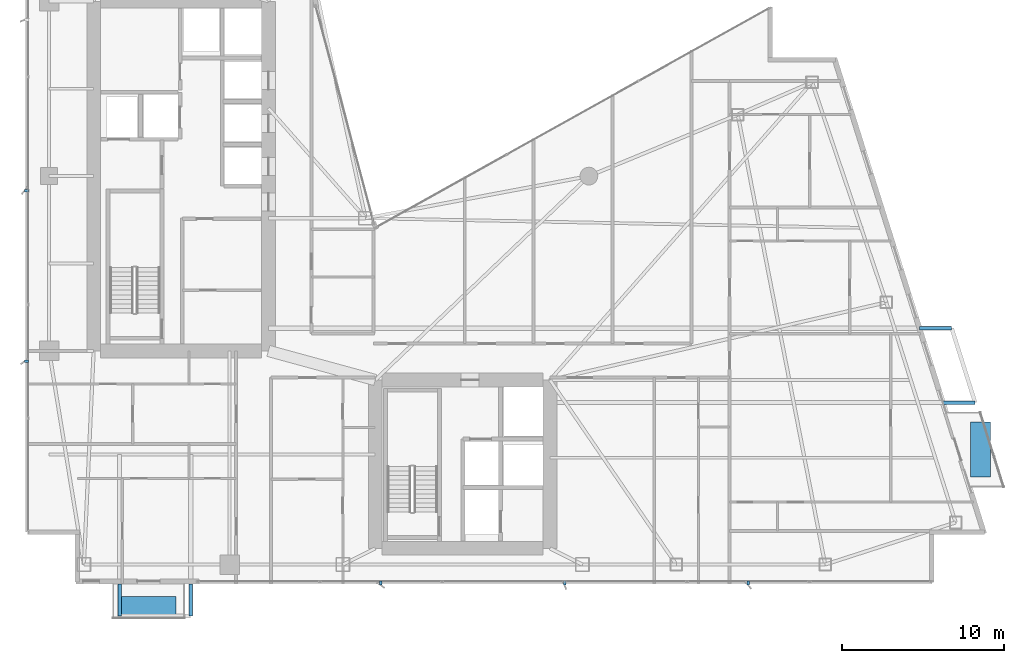
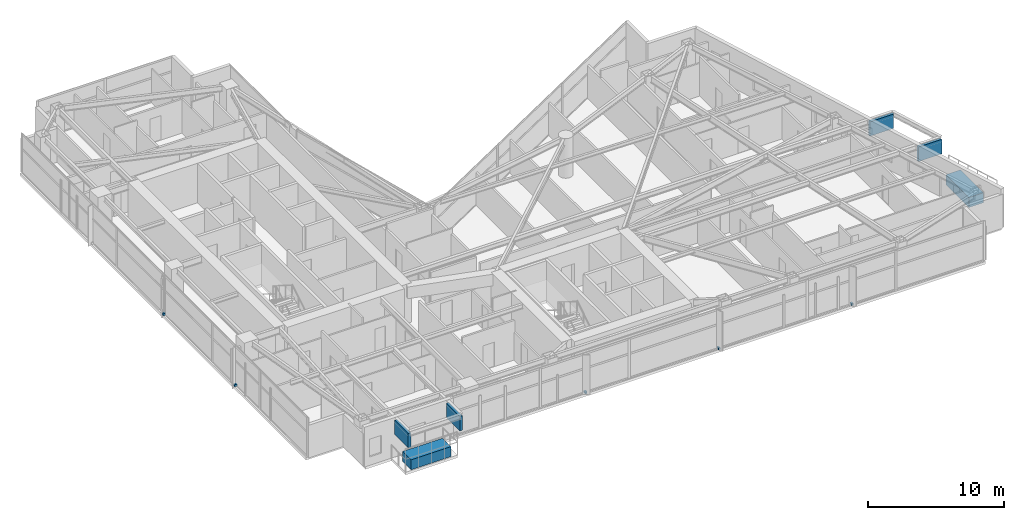
# One storey, part 26 of 29: 11 discrete accessories.
"""IFC4 building model written with IfcOpenShell, lengths in metres."""

from ifc_helpers import new_model, si_unit, direction, frame, origin, origin_2d, place, context, subcontext, project, spatial, rectangle, extrude, material, type_object, element, save


model = new_model("IFC4")

# Units and contexts
model_context = context("Model", 3, precision=1e-05, world=origin(), true_north=direction((0.0, 1.0)))
body_context = subcontext(model_context, "Body", "Model", "MODEL_VIEW")
ifc_project = project(units=[si_unit("LENGTHUNIT", "METRE"), si_unit("AREAUNIT", "SQUARE_METRE"), si_unit("VOLUMEUNIT", "CUBIC_METRE"), si_unit("PLANEANGLEUNIT", "RADIAN"), si_unit("MASSUNIT", "GRAM", prefix="KILO")], contexts=[model_context])

# Site, building, storey
site_placement = place(None, origin())
site = spatial("IfcSite", under=ifc_project, at=site_placement, CompositionType="ELEMENT")
building_placement = place(site_placement, origin())
building = spatial("IfcBuilding", under=site, at=building_placement, Name="Calvorn Quay Hotel", CompositionType="ELEMENT")
storey_placement = place(building_placement, frame((0.0, 0.0, 148.5)))
storey = spatial("IfcBuildingStorey", under=building, at=storey_placement, Name="L36", CompositionType="ELEMENT", Elevation=148.5)

# Discrete accessories
ifc_material_1 = material(Name="Steel Q355B", Category="steel")
discrete_accessory_type_1 = type_object("IfcDiscreteAccessoryType", Name="ACC-BALC-STRUT", PredefinedType="BRACKET", material=ifc_material_1)
for number, where, z_axis, x_axis, name in (
    (1, (57.674072265625, 13.60009765625, 2.01513671875), (0.0, 0.0, 1.0), (1.0, 0.0, 0.0), "Exterior Balcony Steel Bracket L37-BALC-E-A"),
    (2, (56.22509765625, 18.199951171875, 2.01513671875), (0.0, 0.0, 1.0), (1.0, 0.0, 0.0), "Exterior Balcony Steel Bracket L37-BALC-E-B"),
):
    element("IfcDiscreteAccessory", number, at=place(storey_placement, frame(where, z_axis=z_axis, x_axis=x_axis)), inside=storey, type_object=discrete_accessory_type_1, Name=name, PredefinedType="BRACKET", context=body_context, shape_type="SweptSolid", body=[
        extrude(rectangle(XDim=1.989990234375, YDim=0.219970703125, at=origin_2d()), origin(), (0.0, 0.0, 1.0), 1.300048828125),
    ])
for number, where, z_axis, x_axis, name in (
    (3, (5.800048828125, 1.405029296875, 2.01513671875), (0.0, 0.0, 1.0), (1.0, 0.0, 0.0), "Exterior Balcony Steel Bracket L37-BALC-S-A"),
    (4, (10.199951171875, 1.405029296875, 2.01513671875), (0.0, 0.0, 1.0), (1.0, 0.0, 0.0), "Exterior Balcony Steel Bracket L37-BALC-S-B"),
):
    element("IfcDiscreteAccessory", number, at=place(storey_placement, frame(where, z_axis=z_axis, x_axis=x_axis)), inside=storey, type_object=discrete_accessory_type_1, Name=name, PredefinedType="BRACKET", context=body_context, shape_type="SweptSolid", body=[
        extrude(rectangle(XDim=0.219970703125, YDim=1.989990234375, at=origin_2d()), origin(), (0.0, 0.0, 1.0), 1.300048828125),
    ])
ifc_material_2 = material(Name="Steel Q355B", Category="steel")
discrete_accessory_type_2 = type_object("IfcDiscreteAccessoryType", Name="ACC-FIN-BRACKET", PredefinedType="BRACKET", material=ifc_material_2)
for number, where, z_axis, x_axis, name in (
    (5, (0.06005859375, 16.14990234375, 0.0302734375), (0.0, 0.0, 1.0), (1.0, 0.0, 0.0), "Fin Anchor Bracket L36-W01"),
    (6, (0.06005859375, 26.699951171875, 0.0302734375), (0.0, 0.0, 1.0), (1.0, 0.0, 0.0), "Fin Anchor Bracket L36-W02"),
    (7, (21.949951171875, 2.4599609375, 0.0302734375), (0.0, 0.0, 1.0), (0.0, 1.0, 0.0), "Fin Anchor Bracket L36-S01"),
    (8, (33.300048828125, 2.4599609375, 0.0302734375), (0.0, 0.0, 1.0), (0.0, 1.0, 0.0), "Fin Anchor Bracket L36-S02"),
    (9, (44.64990234375, 2.4599609375, 0.0302734375), (0.0, 0.0, 1.0), (0.0, 1.0, 0.0), "Fin Anchor Bracket L36-S03"),
):
    element("IfcDiscreteAccessory", number, at=place(storey_placement, frame(where, z_axis=z_axis, x_axis=x_axis)), inside=storey, type_object=discrete_accessory_type_2, Name=name, PredefinedType="BRACKET", context=body_context, shape_type="SweptSolid", body=[
        extrude(rectangle(XDim=0.239990234375, YDim=0.159912109375, at=origin_2d()), origin(), (0.0, 0.0, 1.0), 0.179931640625),
    ])
ifc_material_3 = material(Name="Precast concrete C40", Category="concrete")
discrete_accessory_type_3 = type_object("IfcDiscreteAccessoryType", Name="ACC-TREE-PLANTER", PredefinedType="USERDEFINED", material=ifc_material_3)
discrete_accessory_1_placement = place(storey_placement, frame((59.0029296875, 10.699951171875, 0.0), z_axis=(0.0, 0.0, 1.0), x_axis=(1.0, 0.0, 0.0)))
element("IfcDiscreteAccessory", 10, at=discrete_accessory_1_placement, inside=storey, type_object=discrete_accessory_type_3, Name="Subtropical Tree Structural Planter L36-BALC-E", ObjectType="PLANTER", PredefinedType="USERDEFINED", context=body_context, shape_type="SweptSolid", body=[
    extrude(rectangle(XDim=1.25, YDim=3.39990234375, at=origin_2d()), origin(), (0.0, 0.0, 1.0), 0.89990234375),
])
discrete_accessory_2_placement = place(storey_placement, frame((7.60009765625, 0.989990234375, 0.0), z_axis=(0.0, 0.0, 1.0), x_axis=(1.0, 0.0, 0.0)))
element("IfcDiscreteAccessory", 11, at=discrete_accessory_2_placement, inside=storey, type_object=discrete_accessory_type_3, Name="Subtropical Tree Structural Planter L36-BALC-S", ObjectType="PLANTER", PredefinedType="USERDEFINED", context=body_context, shape_type="SweptSolid", body=[
    extrude(rectangle(XDim=3.39990234375, YDim=1.25, at=origin_2d()), origin(), (0.0, 0.0, 1.0), 0.89990234375),
])

save(model, "model.ifc")
